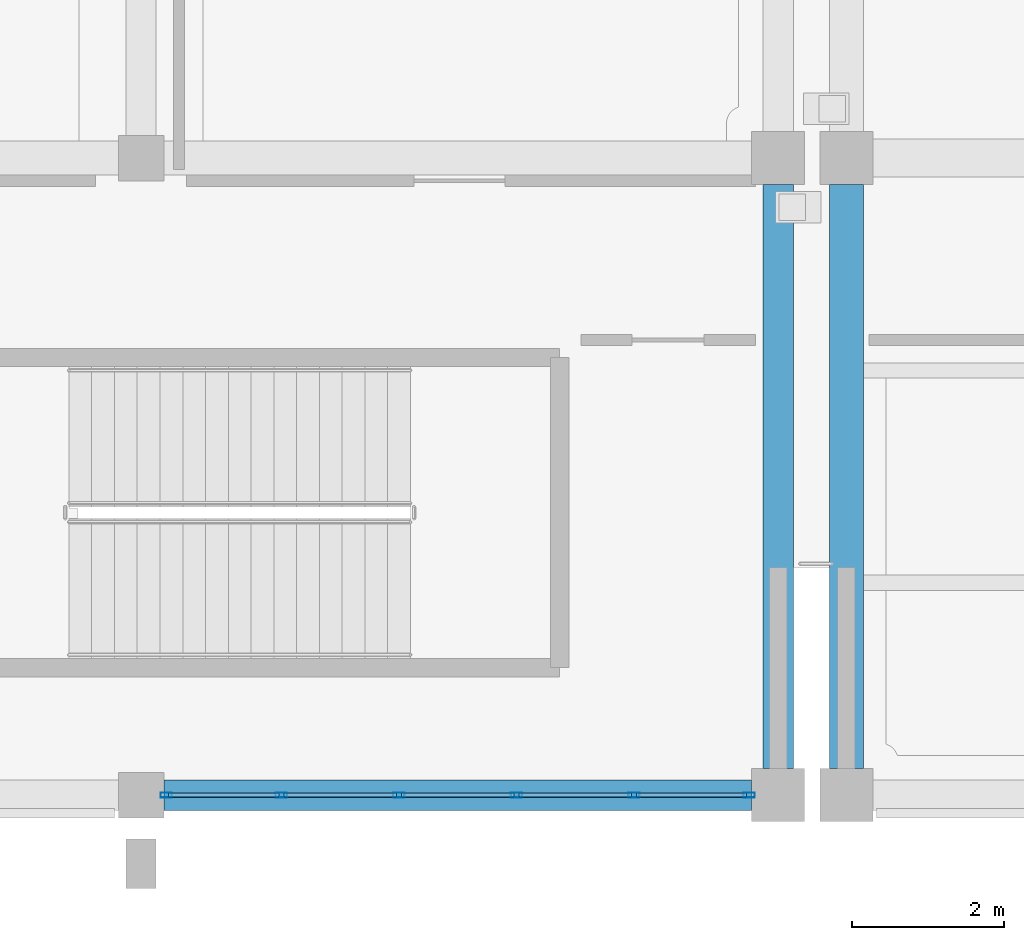
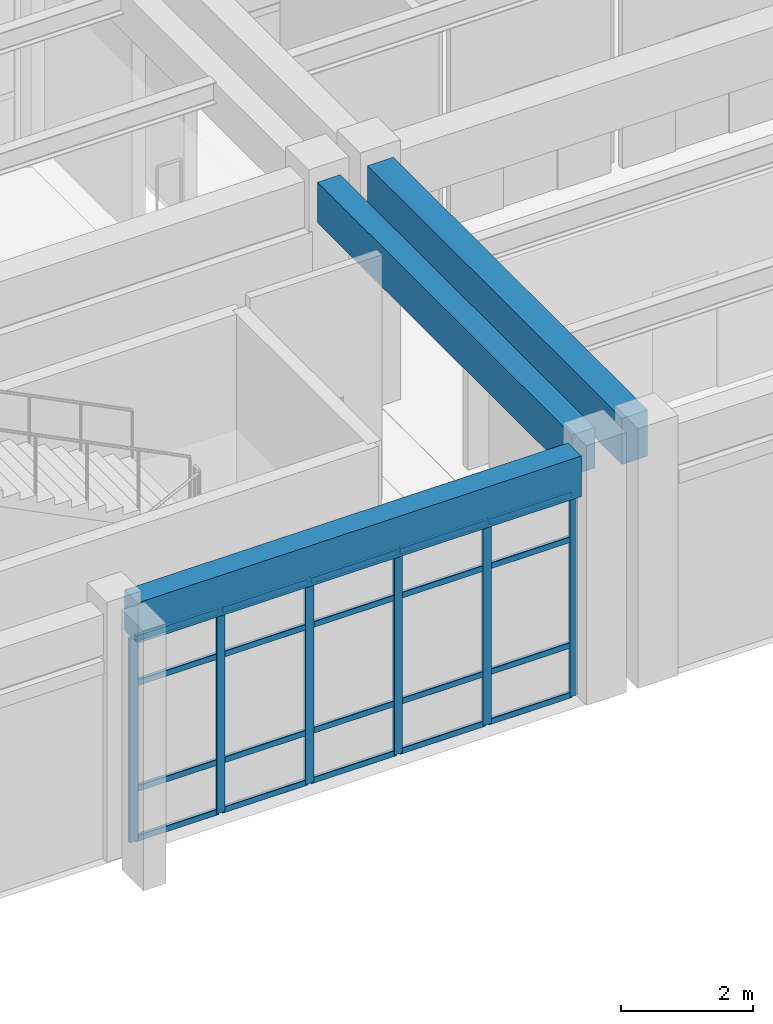
# One storey, part 20 of 98: 26 members, 3 beams, 1 element without a shape of its own.
"""IFC4 building model written with IfcOpenShell, lengths in metres."""

from ifc_helpers import new_model, si_unit, direction, frame, origin, origin_2d, place, context, subcontext, project, spatial, rectangle, hollow_rectangle, extrude, material, material_profile, profile_set, type_object, element, aggregate, save


model = new_model("IFC4")

# Units and contexts
model_context = context("Model", 3, precision=1e-05, world=origin(), true_north=direction((0.0, 1.0)))
body_context = subcontext(model_context, "Body", "Model", "MODEL_VIEW")
ifc_project = project(units=[si_unit("LENGTHUNIT", "METRE"), si_unit("AREAUNIT", "SQUARE_METRE"), si_unit("VOLUMEUNIT", "CUBIC_METRE"), si_unit("PLANEANGLEUNIT", "RADIAN"), si_unit("MASSUNIT", "GRAM", prefix="KILO")], contexts=[model_context])

# Site, building, storey
site_placement = place(None, origin())
site = spatial("IfcSite", under=ifc_project, at=site_placement, CompositionType="ELEMENT")
building_placement = place(site_placement, origin())
building = spatial("IfcBuilding", under=site, at=building_placement, Name="Canglan Escarpment Cableway Terminal", CompositionType="ELEMENT")
storey_placement = place(building_placement, frame((0.0, 0.0, 9.60009765625)))
storey = spatial("IfcBuildingStorey", under=building, at=storey_placement, Name="L02", CompositionType="ELEMENT", Elevation=9.60009765625)

# Beams
ifc_material_1 = material(Name="Concrete C40", Category="concrete")
ifc_material_profile_1 = material_profile(ifc_material_1, rectangle(XDim=0.39990234375, YDim=0.75, at=origin_2d()), Name="RC 400x750")
ifc_profile_set_1 = profile_set([ifc_material_profile_1], Name="Concrete C40")
beam_type_1 = type_object("IfcBeamType", Name="BM-RC400x750", PredefinedType="BEAM", material=ifc_profile_set_1)
beam_1_placement = place(storey_placement, frame((110.60009765625, 8.35009765625, 4.14501953125), z_axis=(0.0, 1.0, 0.0), x_axis=(-1.0, 0.0, 0.0)))
element("IfcBeam", 1, at=beam_1_placement, inside=storey, type_object=beam_type_1, Name="Primary transverse girder B-03", PredefinedType="BEAM", context=body_context, shape_type="SweptSolid", body=[
    extrude(rectangle(XDim=0.39990234375, YDim=0.75, at=origin_2d()), origin(), (0.0, 0.0, 1.0), 7.699951171875),
])
ifc_material_profile_2 = material_profile(ifc_material_1, rectangle(XDim=0.449951171875, YDim=0.85009765625, at=origin_2d()), Name="RC 450x850")
ifc_profile_set_2 = profile_set([ifc_material_profile_2], Name="Concrete C40")
beam_type_2 = type_object("IfcBeamType", Name="BM-RC450x850", PredefinedType="BEAM", material=ifc_profile_set_2)
beam_2_placement = place(storey_placement, frame((111.5, 8.35009765625, 4.094970703125), z_axis=(0.0, 1.0, 0.0), x_axis=(-1.0, 0.0, 0.0)))
element("IfcBeam", 2, at=beam_2_placement, inside=storey, type_object=beam_type_2, Name="Primary transverse girder B-02", PredefinedType="BEAM", context=body_context, shape_type="SweptSolid", body=[
    extrude(rectangle(XDim=0.449951171875, YDim=0.85009765625, at=origin_2d()), origin(), (0.0, 0.0, 1.0), 7.699951171875),
])

# Curtain wall, members
ifc_material_2 = material(Name="Anodized bronze aluminium and Low-E double glazing", Category="aluminium")
curtain_wall_type = type_object("IfcCurtainWallType", Name="CW-BAY-7750x3750", PredefinedType="NOTDEFINED", material=ifc_material_2)
curtain_wall_placement = place(storey_placement, origin())
curtain_wall = element("IfcCurtainWall", 3, at=curtain_wall_placement, inside=storey, type_object=curtain_wall_type, Name="Classical bay-between-piers glazed curtain wall CW-07", PredefinedType="NOTDEFINED")
ifc_material_3 = material(Name="Thermally broken anodized aluminium 6063-T6", Category="aluminium")
ifc_material_profile_3 = material_profile(ifc_material_3, hollow_rectangle(XDim=0.06494140625, YDim=0.14990234375, WallThickness=0.00341796875, InnerFilletRadius=0.00341796875, OuterFilletRadius=0.007080078125, at=origin_2d()), Name="ALU-MULL 65x150x3.5")
ifc_profile_set_3 = profile_set([ifc_material_profile_3], Name="Thermally broken anodized aluminium 6063-T6")
member_type_1 = type_object("IfcMemberType", Name="CWM-02", PredefinedType="MULLION", material=ifc_profile_set_3)
member_1_placement = place(storey_placement, frame((102.532470703125, 8.0, 0.0), z_axis=(0.0, 0.0, 1.0), x_axis=(0.0, 1.0, 0.0)))
member_1 = element("IfcMember", 4, at=member_1_placement, type_object=member_type_1, Name="CW-07 mullion 1", PredefinedType="MULLION", context=body_context, shape_type="SweptSolid", body=[
    extrude(hollow_rectangle(XDim=0.06494140625, YDim=0.14990234375, WallThickness=0.00341796875, InnerFilletRadius=0.00341796875, OuterFilletRadius=0.007080078125, at=origin_2d()), origin(), (0.0, 0.0, 1.0), 3.7548828125),
])
member_2_placement = place(storey_placement, frame((104.050048828125, 8.0, 0.0), z_axis=(0.0, 0.0, 1.0), x_axis=(0.0, 1.0, 0.0)))
member_2 = element("IfcMember", 5, at=member_2_placement, type_object=member_type_1, Name="CW-07 mullion 2", PredefinedType="MULLION", context=body_context, shape_type="SweptSolid", body=[
    extrude(hollow_rectangle(XDim=0.06494140625, YDim=0.14990234375, WallThickness=0.00341796875, InnerFilletRadius=0.00341796875, OuterFilletRadius=0.007080078125, at=origin_2d()), origin(), (0.0, 0.0, 1.0), 3.7548828125),
])
member_3_placement = place(storey_placement, frame((105.60009765625, 8.0, 0.0), z_axis=(0.0, 0.0, 1.0), x_axis=(0.0, 1.0, 0.0)))
member_3 = element("IfcMember", 6, at=member_3_placement, type_object=member_type_1, Name="CW-07 mullion 3", PredefinedType="MULLION", context=body_context, shape_type="SweptSolid", body=[
    extrude(hollow_rectangle(XDim=0.06494140625, YDim=0.14990234375, WallThickness=0.00341796875, InnerFilletRadius=0.00341796875, OuterFilletRadius=0.007080078125, at=origin_2d()), origin(), (0.0, 0.0, 1.0), 3.7548828125),
])
member_4_placement = place(storey_placement, frame((107.14990234375, 8.0, 0.0), z_axis=(0.0, 0.0, 1.0), x_axis=(0.0, 1.0, 0.0)))
member_4 = element("IfcMember", 7, at=member_4_placement, type_object=member_type_1, Name="CW-07 mullion 4", PredefinedType="MULLION", context=body_context, shape_type="SweptSolid", body=[
    extrude(hollow_rectangle(XDim=0.06494140625, YDim=0.14990234375, WallThickness=0.00341796875, InnerFilletRadius=0.00341796875, OuterFilletRadius=0.007080078125, at=origin_2d()), origin(), (0.0, 0.0, 1.0), 3.7548828125),
])
member_5_placement = place(storey_placement, frame((108.699951171875, 8.0, 0.0), z_axis=(0.0, 0.0, 1.0), x_axis=(0.0, 1.0, 0.0)))
member_5 = element("IfcMember", 8, at=member_5_placement, type_object=member_type_1, Name="CW-07 mullion 5", PredefinedType="MULLION", context=body_context, shape_type="SweptSolid", body=[
    extrude(hollow_rectangle(XDim=0.06494140625, YDim=0.14990234375, WallThickness=0.00341796875, InnerFilletRadius=0.00341796875, OuterFilletRadius=0.007080078125, at=origin_2d()), origin(), (0.0, 0.0, 1.0), 3.7548828125),
])
member_6_placement = place(storey_placement, frame((110.217529296875, 8.0, 0.0), z_axis=(0.0, 0.0, 1.0), x_axis=(0.0, 1.0, 0.0)))
member_6 = element("IfcMember", 9, at=member_6_placement, type_object=member_type_1, Name="CW-07 mullion 6", PredefinedType="MULLION", context=body_context, shape_type="SweptSolid", body=[
    extrude(hollow_rectangle(XDim=0.06494140625, YDim=0.14990234375, WallThickness=0.00341796875, InnerFilletRadius=0.00341796875, OuterFilletRadius=0.007080078125, at=origin_2d()), origin(), (0.0, 0.0, 1.0), 3.7548828125),
])
ifc_material_profile_4 = material_profile(ifc_material_3, hollow_rectangle(XDim=0.06005859375, YDim=0.110107421875, WallThickness=0.0029296875, InnerFilletRadius=0.0029296875, OuterFilletRadius=0.006103515625, at=origin_2d()), Name="ALU-TRAN 60x110x3")
ifc_profile_set_4 = profile_set([ifc_material_profile_4], Name="Thermally broken anodized aluminium 6063-T6")
member_type_2 = type_object("IfcMemberType", Name="CWT-02", PredefinedType="USERDEFINED", material=ifc_profile_set_4)
member_7_placement = place(storey_placement, frame((102.56494140625, 8.0, 0.02978515625), z_axis=(1.0, 0.0, 0.0), x_axis=(0.0, 1.0, 0.0)))
member_7 = element("IfcMember", 10, at=member_7_placement, type_object=member_type_2, Name="CW-07 transom 1.1", ObjectType="TRANSOM", PredefinedType="USERDEFINED", context=body_context, shape_type="SweptSolid", body=[
    extrude(hollow_rectangle(XDim=0.06005859375, YDim=0.110107421875, WallThickness=0.0029296875, InnerFilletRadius=0.0029296875, OuterFilletRadius=0.006103515625, at=origin_2d()), origin(), (0.0, 0.0, 1.0), 1.45263671875),
])
member_8_placement = place(storey_placement, frame((102.56494140625, 8.0, 0.949951171875), z_axis=(1.0, 0.0, 0.0), x_axis=(0.0, 1.0, 0.0)))
member_8 = element("IfcMember", 11, at=member_8_placement, type_object=member_type_2, Name="CW-07 transom 1.2", ObjectType="TRANSOM", PredefinedType="USERDEFINED", context=body_context, shape_type="SweptSolid", body=[
    extrude(hollow_rectangle(XDim=0.06005859375, YDim=0.110107421875, WallThickness=0.0029296875, InnerFilletRadius=0.0029296875, OuterFilletRadius=0.006103515625, at=origin_2d()), origin(), (0.0, 0.0, 1.0), 1.45263671875),
])
member_9_placement = place(storey_placement, frame((102.56494140625, 8.0, 2.90478515625), z_axis=(1.0, 0.0, 0.0), x_axis=(0.0, 1.0, 0.0)))
member_9 = element("IfcMember", 12, at=member_9_placement, type_object=member_type_2, Name="CW-07 transom 1.3", ObjectType="TRANSOM", PredefinedType="USERDEFINED", context=body_context, shape_type="SweptSolid", body=[
    extrude(hollow_rectangle(XDim=0.06005859375, YDim=0.110107421875, WallThickness=0.0029296875, InnerFilletRadius=0.0029296875, OuterFilletRadius=0.006103515625, at=origin_2d()), origin(), (0.0, 0.0, 1.0), 1.45263671875),
])
member_10_placement = place(storey_placement, frame((102.56494140625, 8.0, 3.724853515625), z_axis=(1.0, 0.0, 0.0), x_axis=(0.0, 1.0, 0.0)))
member_10 = element("IfcMember", 13, at=member_10_placement, type_object=member_type_2, Name="CW-07 transom 1.4", ObjectType="TRANSOM", PredefinedType="USERDEFINED", context=body_context, shape_type="SweptSolid", body=[
    extrude(hollow_rectangle(XDim=0.06005859375, YDim=0.110107421875, WallThickness=0.0029296875, InnerFilletRadius=0.0029296875, OuterFilletRadius=0.006103515625, at=origin_2d()), origin(), (0.0, 0.0, 1.0), 1.45263671875),
])
member_11_placement = place(storey_placement, frame((104.08251953125, 8.0, 0.02978515625), z_axis=(1.0, 0.0, 0.0), x_axis=(0.0, 1.0, 0.0)))
member_11 = element("IfcMember", 14, at=member_11_placement, type_object=member_type_2, Name="CW-07 transom 2.1", ObjectType="TRANSOM", PredefinedType="USERDEFINED", context=body_context, shape_type="SweptSolid", body=[
    extrude(hollow_rectangle(XDim=0.06005859375, YDim=0.110107421875, WallThickness=0.0029296875, InnerFilletRadius=0.0029296875, OuterFilletRadius=0.006103515625, at=origin_2d()), origin(), (0.0, 0.0, 1.0), 1.48486328125),
])
member_12_placement = place(storey_placement, frame((104.08251953125, 8.0, 0.949951171875), z_axis=(1.0, 0.0, 0.0), x_axis=(0.0, 1.0, 0.0)))
member_12 = element("IfcMember", 15, at=member_12_placement, type_object=member_type_2, Name="CW-07 transom 2.2", ObjectType="TRANSOM", PredefinedType="USERDEFINED", context=body_context, shape_type="SweptSolid", body=[
    extrude(hollow_rectangle(XDim=0.06005859375, YDim=0.110107421875, WallThickness=0.0029296875, InnerFilletRadius=0.0029296875, OuterFilletRadius=0.006103515625, at=origin_2d()), origin(), (0.0, 0.0, 1.0), 1.48486328125),
])
member_13_placement = place(storey_placement, frame((104.08251953125, 8.0, 2.90478515625), z_axis=(1.0, 0.0, 0.0), x_axis=(0.0, 1.0, 0.0)))
member_13 = element("IfcMember", 16, at=member_13_placement, type_object=member_type_2, Name="CW-07 transom 2.3", ObjectType="TRANSOM", PredefinedType="USERDEFINED", context=body_context, shape_type="SweptSolid", body=[
    extrude(hollow_rectangle(XDim=0.06005859375, YDim=0.110107421875, WallThickness=0.0029296875, InnerFilletRadius=0.0029296875, OuterFilletRadius=0.006103515625, at=origin_2d()), origin(), (0.0, 0.0, 1.0), 1.48486328125),
])
member_14_placement = place(storey_placement, frame((104.08251953125, 8.0, 3.724853515625), z_axis=(1.0, 0.0, 0.0), x_axis=(0.0, 1.0, 0.0)))
member_14 = element("IfcMember", 17, at=member_14_placement, type_object=member_type_2, Name="CW-07 transom 2.4", ObjectType="TRANSOM", PredefinedType="USERDEFINED", context=body_context, shape_type="SweptSolid", body=[
    extrude(hollow_rectangle(XDim=0.06005859375, YDim=0.110107421875, WallThickness=0.0029296875, InnerFilletRadius=0.0029296875, OuterFilletRadius=0.006103515625, at=origin_2d()), origin(), (0.0, 0.0, 1.0), 1.48486328125),
])
member_15_placement = place(storey_placement, frame((105.632568359375, 8.0, 0.02978515625), z_axis=(1.0, 0.0, 0.0), x_axis=(0.0, 1.0, 0.0)))
member_15 = element("IfcMember", 18, at=member_15_placement, type_object=member_type_2, Name="CW-07 transom 3.1", ObjectType="TRANSOM", PredefinedType="USERDEFINED", context=body_context, shape_type="SweptSolid", body=[
    extrude(hollow_rectangle(XDim=0.06005859375, YDim=0.110107421875, WallThickness=0.0029296875, InnerFilletRadius=0.0029296875, OuterFilletRadius=0.006103515625, at=origin_2d()), origin(), (0.0, 0.0, 1.0), 1.48486328125),
])
member_16_placement = place(storey_placement, frame((105.632568359375, 8.0, 0.949951171875), z_axis=(1.0, 0.0, 0.0), x_axis=(0.0, 1.0, 0.0)))
member_16 = element("IfcMember", 19, at=member_16_placement, type_object=member_type_2, Name="CW-07 transom 3.2", ObjectType="TRANSOM", PredefinedType="USERDEFINED", context=body_context, shape_type="SweptSolid", body=[
    extrude(hollow_rectangle(XDim=0.06005859375, YDim=0.110107421875, WallThickness=0.0029296875, InnerFilletRadius=0.0029296875, OuterFilletRadius=0.006103515625, at=origin_2d()), origin(), (0.0, 0.0, 1.0), 1.48486328125),
])
member_17_placement = place(storey_placement, frame((105.632568359375, 8.0, 2.90478515625), z_axis=(1.0, 0.0, 0.0), x_axis=(0.0, 1.0, 0.0)))
member_17 = element("IfcMember", 20, at=member_17_placement, type_object=member_type_2, Name="CW-07 transom 3.3", ObjectType="TRANSOM", PredefinedType="USERDEFINED", context=body_context, shape_type="SweptSolid", body=[
    extrude(hollow_rectangle(XDim=0.06005859375, YDim=0.110107421875, WallThickness=0.0029296875, InnerFilletRadius=0.0029296875, OuterFilletRadius=0.006103515625, at=origin_2d()), origin(), (0.0, 0.0, 1.0), 1.48486328125),
])
member_18_placement = place(storey_placement, frame((105.632568359375, 8.0, 3.724853515625), z_axis=(1.0, 0.0, 0.0), x_axis=(0.0, 1.0, 0.0)))
member_18 = element("IfcMember", 21, at=member_18_placement, type_object=member_type_2, Name="CW-07 transom 3.4", ObjectType="TRANSOM", PredefinedType="USERDEFINED", context=body_context, shape_type="SweptSolid", body=[
    extrude(hollow_rectangle(XDim=0.06005859375, YDim=0.110107421875, WallThickness=0.0029296875, InnerFilletRadius=0.0029296875, OuterFilletRadius=0.006103515625, at=origin_2d()), origin(), (0.0, 0.0, 1.0), 1.48486328125),
])
member_19_placement = place(storey_placement, frame((107.1826171875, 8.0, 0.02978515625), z_axis=(1.0, 0.0, 0.0), x_axis=(0.0, 1.0, 0.0)))
member_19 = element("IfcMember", 22, at=member_19_placement, type_object=member_type_2, Name="CW-07 transom 4.1", ObjectType="TRANSOM", PredefinedType="USERDEFINED", context=body_context, shape_type="SweptSolid", body=[
    extrude(hollow_rectangle(XDim=0.06005859375, YDim=0.110107421875, WallThickness=0.0029296875, InnerFilletRadius=0.0029296875, OuterFilletRadius=0.006103515625, at=origin_2d()), origin(), (0.0, 0.0, 1.0), 1.48486328125),
])
member_20_placement = place(storey_placement, frame((107.1826171875, 8.0, 0.949951171875), z_axis=(1.0, 0.0, 0.0), x_axis=(0.0, 1.0, 0.0)))
member_20 = element("IfcMember", 23, at=member_20_placement, type_object=member_type_2, Name="CW-07 transom 4.2", ObjectType="TRANSOM", PredefinedType="USERDEFINED", context=body_context, shape_type="SweptSolid", body=[
    extrude(hollow_rectangle(XDim=0.06005859375, YDim=0.110107421875, WallThickness=0.0029296875, InnerFilletRadius=0.0029296875, OuterFilletRadius=0.006103515625, at=origin_2d()), origin(), (0.0, 0.0, 1.0), 1.48486328125),
])
member_21_placement = place(storey_placement, frame((107.1826171875, 8.0, 2.90478515625), z_axis=(1.0, 0.0, 0.0), x_axis=(0.0, 1.0, 0.0)))
member_21 = element("IfcMember", 24, at=member_21_placement, type_object=member_type_2, Name="CW-07 transom 4.3", ObjectType="TRANSOM", PredefinedType="USERDEFINED", context=body_context, shape_type="SweptSolid", body=[
    extrude(hollow_rectangle(XDim=0.06005859375, YDim=0.110107421875, WallThickness=0.0029296875, InnerFilletRadius=0.0029296875, OuterFilletRadius=0.006103515625, at=origin_2d()), origin(), (0.0, 0.0, 1.0), 1.48486328125),
])
member_22_placement = place(storey_placement, frame((107.1826171875, 8.0, 3.724853515625), z_axis=(1.0, 0.0, 0.0), x_axis=(0.0, 1.0, 0.0)))
member_22 = element("IfcMember", 25, at=member_22_placement, type_object=member_type_2, Name="CW-07 transom 4.4", ObjectType="TRANSOM", PredefinedType="USERDEFINED", context=body_context, shape_type="SweptSolid", body=[
    extrude(hollow_rectangle(XDim=0.06005859375, YDim=0.110107421875, WallThickness=0.0029296875, InnerFilletRadius=0.0029296875, OuterFilletRadius=0.006103515625, at=origin_2d()), origin(), (0.0, 0.0, 1.0), 1.48486328125),
])
member_23_placement = place(storey_placement, frame((108.732421875, 8.0, 0.02978515625), z_axis=(1.0, 0.0, 0.0), x_axis=(0.0, 1.0, 0.0)))
member_23 = element("IfcMember", 26, at=member_23_placement, type_object=member_type_2, Name="CW-07 transom 5.1", ObjectType="TRANSOM", PredefinedType="USERDEFINED", context=body_context, shape_type="SweptSolid", body=[
    extrude(hollow_rectangle(XDim=0.06005859375, YDim=0.110107421875, WallThickness=0.0029296875, InnerFilletRadius=0.0029296875, OuterFilletRadius=0.006103515625, at=origin_2d()), origin(), (0.0, 0.0, 1.0), 1.45263671875),
])
member_24_placement = place(storey_placement, frame((108.732421875, 8.0, 0.949951171875), z_axis=(1.0, 0.0, 0.0), x_axis=(0.0, 1.0, 0.0)))
member_24 = element("IfcMember", 27, at=member_24_placement, type_object=member_type_2, Name="CW-07 transom 5.2", ObjectType="TRANSOM", PredefinedType="USERDEFINED", context=body_context, shape_type="SweptSolid", body=[
    extrude(hollow_rectangle(XDim=0.06005859375, YDim=0.110107421875, WallThickness=0.0029296875, InnerFilletRadius=0.0029296875, OuterFilletRadius=0.006103515625, at=origin_2d()), origin(), (0.0, 0.0, 1.0), 1.45263671875),
])
member_25_placement = place(storey_placement, frame((108.732421875, 8.0, 2.90478515625), z_axis=(1.0, 0.0, 0.0), x_axis=(0.0, 1.0, 0.0)))
member_25 = element("IfcMember", 28, at=member_25_placement, type_object=member_type_2, Name="CW-07 transom 5.3", ObjectType="TRANSOM", PredefinedType="USERDEFINED", context=body_context, shape_type="SweptSolid", body=[
    extrude(hollow_rectangle(XDim=0.06005859375, YDim=0.110107421875, WallThickness=0.0029296875, InnerFilletRadius=0.0029296875, OuterFilletRadius=0.006103515625, at=origin_2d()), origin(), (0.0, 0.0, 1.0), 1.45263671875),
])
member_26_placement = place(storey_placement, frame((108.732421875, 8.0, 3.724853515625), z_axis=(1.0, 0.0, 0.0), x_axis=(0.0, 1.0, 0.0)))
member_26 = element("IfcMember", 29, at=member_26_placement, type_object=member_type_2, Name="CW-07 transom 5.4", ObjectType="TRANSOM", PredefinedType="USERDEFINED", context=body_context, shape_type="SweptSolid", body=[
    extrude(hollow_rectangle(XDim=0.06005859375, YDim=0.110107421875, WallThickness=0.0029296875, InnerFilletRadius=0.0029296875, OuterFilletRadius=0.006103515625, at=origin_2d()), origin(), (0.0, 0.0, 1.0), 1.45263671875),
])
aggregate(curtain_wall, [member_1, member_2, member_3, member_4, member_5, member_6, member_7, member_8, member_9, member_10, member_11, member_12, member_13, member_14, member_15, member_16, member_17, member_18, member_19, member_20, member_21, member_22, member_23, member_24, member_25, member_26])

# Beam
ifc_material_profile_5 = material_profile(ifc_material_1, rectangle(XDim=0.39990234375, YDim=0.75, at=origin_2d()), Name="RC 400x750")
ifc_profile_set_5 = profile_set([ifc_material_profile_5], Name="Concrete C40")
beam_type_3 = type_object("IfcBeamType", Name="SP-RC400x750", PredefinedType="SPANDREL", material=ifc_profile_set_5)
beam_3_placement = place(storey_placement, frame((102.5, 8.0, 4.14501953125), z_axis=(1.0, 0.0, 0.0), x_axis=(0.0, 1.0, 0.0)))
element("IfcBeam", 30, at=beam_3_placement, inside=storey, type_object=beam_type_3, Name="Primary structural girder SP-01", PredefinedType="SPANDREL", context=body_context, shape_type="SweptSolid", body=[
    extrude(rectangle(XDim=0.39990234375, YDim=0.75, at=origin_2d()), origin(), (0.0, 0.0, 1.0), 7.75),
])

save(model, "model.ifc")
